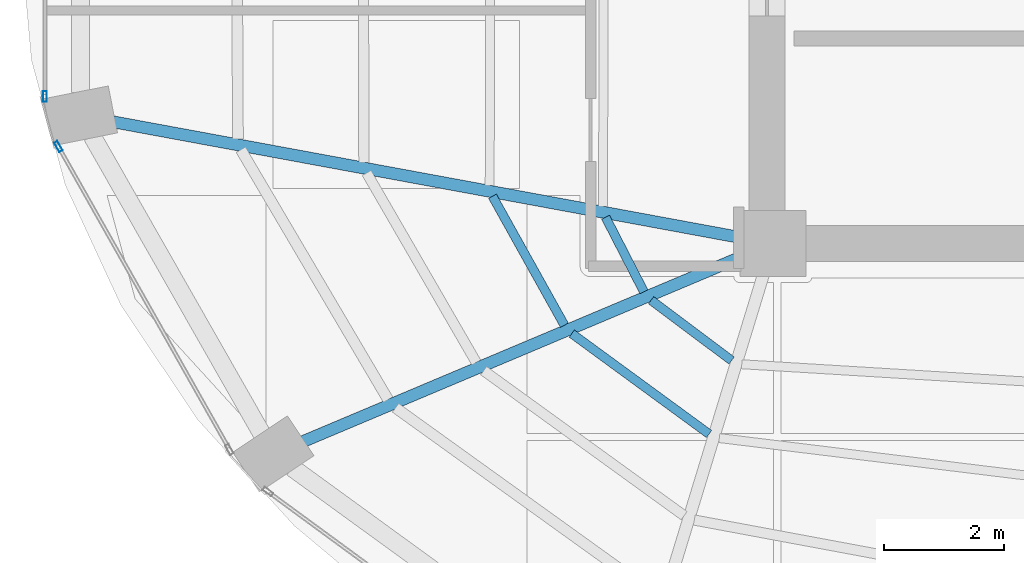
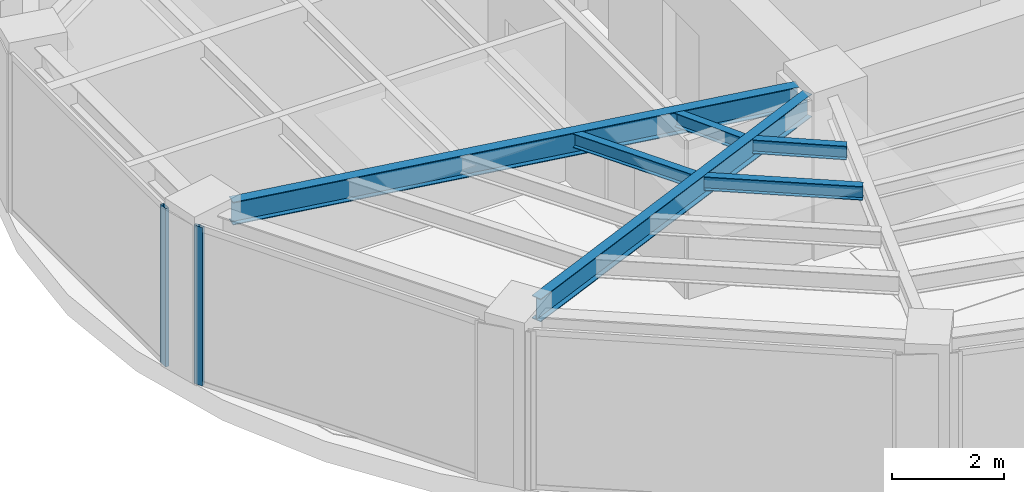
# One storey, part 4 of 23: 6 beams, 2 members, 2 elements without a shape of their own.
"""IFC4 building model written with IfcOpenShell, lengths in metres."""

from ifc_helpers import new_model, si_unit, direction, frame, origin, origin_2d, place, context, subcontext, project, spatial, hollow_rectangle, i_section, extrude, material, layer, layer_set, material_profile, profile_set, type_object, element, aggregate, save


model = new_model("IFC4")

# Units and contexts
model_context = context("Model", 3, precision=1e-05, world=origin(), true_north=direction((0.0, 1.0)))
body_context = subcontext(model_context, "Body", "Model", "MODEL_VIEW")
ifc_project = project(units=[si_unit("LENGTHUNIT", "METRE"), si_unit("AREAUNIT", "SQUARE_METRE"), si_unit("VOLUMEUNIT", "CUBIC_METRE"), si_unit("PLANEANGLEUNIT", "RADIAN"), si_unit("MASSUNIT", "GRAM", prefix="KILO")], contexts=[model_context])

# Site, building, storey
site_placement = place(None, origin())
site = spatial("IfcSite", under=ifc_project, at=site_placement, CompositionType="ELEMENT")
building_placement = place(site_placement, origin())
building = spatial("IfcBuilding", under=site, at=building_placement, Name="Lazwardi Medical Tower", CompositionType="ELEMENT")
storey_placement = place(building_placement, frame((0.0, 0.0, 194.83203125)))
storey = spatial("IfcBuildingStorey", under=building, at=storey_placement, Name="L50", CompositionType="ELEMENT", Elevation=194.83203125)

# Beams
ifc_material_1 = material(Name="Steel S355", Category="steel")
ifc_material_profile_1 = material_profile(ifc_material_1, i_section(OverallWidth=0.199951171875, OverallDepth=0.5, WebThickness=0.01025390625, FlangeThickness=0.01611328125, at=origin_2d()), Name="IPE 500")
ifc_profile_set_1 = profile_set([ifc_material_profile_1], Name="Steel S355")
beam_type_1 = type_object("IfcBeamType", Name="BM-RG-W3", PredefinedType="BEAM", material=ifc_profile_set_1)
beam_1_placement = place(storey_placement, frame((15.341064453125, 22.43994140625, 3.197998046875), z_axis=(0.983409341459, -0.181400295288, 0.0), x_axis=(0.181400295288, 0.983409341459, 0.0)))
element("IfcBeam", 1, at=beam_1_placement, inside=storey, type_object=beam_type_1, Name="Radial girder RG-04 R13 L50", PredefinedType="BEAM", context=body_context, shape_type="SweptSolid", body=[
    extrude(i_section(OverallWidth=0.199951171875, OverallDepth=0.5, WebThickness=0.01025390625, FlangeThickness=0.01611328125, at=origin_2d()), origin(), (0.0, 0.0, 1.0), 10.71044921875),
])
beam_2_placement = place(storey_placement, frame((18.533203125, 17.085205078125, 3.197998046875), z_axis=(0.921526791352, 0.388314785735, 0.0), x_axis=(-0.388314785735, 0.921526791352, 0.0)))
element("IfcBeam", 2, at=beam_2_placement, inside=storey, type_object=beam_type_1, Name="Radial girder RG-04 R14 L50", PredefinedType="BEAM", context=body_context, shape_type="SweptSolid", body=[
    extrude(i_section(OverallWidth=0.199951171875, OverallDepth=0.5, WebThickness=0.01025390625, FlangeThickness=0.01611328125, at=origin_2d()), origin(), (0.0, 0.0, 1.0), 8.001708984375),
])
ifc_material_profile_2 = material_profile(ifc_material_1, i_section(OverallWidth=0.14990234375, OverallDepth=0.300048828125, WebThickness=0.007080078125, FlangeThickness=0.0107421875, at=origin_2d()), Name="IPE 300")
ifc_profile_set_2 = profile_set([ifc_material_profile_2], Name="Steel S355")
beam_type_2 = type_object("IfcBeamType", Name="BM-SJ-03", PredefinedType="JOIST", material=ifc_profile_set_2)
beam_3_placement = place(storey_placement, frame((21.70703125, 21.19140625, 3.2978515625), z_axis=(0.487092942089, -0.873350139272, 0.0), x_axis=(0.873350139272, 0.487092942089, 0.0)))
element("IfcBeam", 3, at=beam_3_placement, inside=storey, type_object=beam_type_2, Name="Secondary joist SJ-03 R3 B13 L50", PredefinedType="JOIST", context=body_context, shape_type="SweptSolid", body=[
    extrude(i_section(OverallWidth=0.14990234375, OverallDepth=0.300048828125, WebThickness=0.007080078125, FlangeThickness=0.0107421875, at=origin_2d()), origin(), (0.0, 0.0, 1.0), 2.471923828125),
])
beam_4_placement = place(storey_placement, frame((23.0341796875, 18.893310546875, 3.2978515625), z_axis=(0.80703431267, -0.59050454543, 0.0), x_axis=(0.59050454543, 0.80703431267, 0.0)))
element("IfcBeam", 4, at=beam_4_placement, inside=storey, type_object=beam_type_2, Name="Secondary joist SJ-03 R3 B14 L50", PredefinedType="JOIST", context=body_context, shape_type="SweptSolid", body=[
    extrude(i_section(OverallWidth=0.14990234375, OverallDepth=0.300048828125, WebThickness=0.007080078125, FlangeThickness=0.0107421875, at=origin_2d()), origin(), (0.0, 0.0, 1.0), 2.846923828125),
])
beam_5_placement = place(storey_placement, frame((23.60009765625, 20.840087890625, 3.2978515625), z_axis=(0.457285056668, -0.889320176848, 0.0), x_axis=(0.889320176848, 0.457285056668, 0.0)))
element("IfcBeam", 5, at=beam_5_placement, inside=storey, type_object=beam_type_2, Name="Secondary joist SJ-03 R4 B13 L50", PredefinedType="JOIST", context=body_context, shape_type="SweptSolid", body=[
    extrude(i_section(OverallWidth=0.14990234375, OverallDepth=0.300048828125, WebThickness=0.007080078125, FlangeThickness=0.0107421875, at=origin_2d()), origin(), (0.0, 0.0, 1.0), 1.402099609375),
])
beam_6_placement = place(storey_placement, frame((24.36083984375, 19.451904296875, 3.2978515625), z_axis=(0.800365301971, -0.599512621553, 0.0), x_axis=(0.599512621553, 0.800365301971, 0.0)))
element("IfcBeam", 6, at=beam_6_placement, inside=storey, type_object=beam_type_2, Name="Secondary joist SJ-03 R4 B14 L50", PredefinedType="JOIST", context=body_context, shape_type="SweptSolid", body=[
    extrude(i_section(OverallWidth=0.14990234375, OverallDepth=0.300048828125, WebThickness=0.007080078125, FlangeThickness=0.0107421875, at=origin_2d()), origin(), (0.0, 0.0, 1.0), 1.68359375),
])

# Curtain wall, member
ifc_material_2 = material(Name="Anodised bronze aluminium and solar control glazing", Category="aluminium")
ifc_layer = layer(ifc_material_2, 0.18994140625)
ifc_layer_set = layer_set([ifc_layer], Name="Anodised bronze aluminium and solar control glazing")
curtain_wall_type = type_object("IfcCurtainWallType", Name="CW-SYS-04", PredefinedType="NOTDEFINED", material=ifc_layer_set)
curtain_wall_1_placement = place(storey_placement, origin())
curtain_wall_1 = element("IfcCurtainWall", 7, at=curtain_wall_1_placement, inside=storey, type_object=curtain_wall_type, Name="L50 Unitised bronze curtain wall CW-04", PredefinedType="NOTDEFINED")
ifc_material_3 = material(Name="Anodised bronze aluminium", Category="aluminium")
ifc_material_profile_3 = material_profile(ifc_material_3, hollow_rectangle(XDim=0.06494140625, YDim=0.179931640625, WallThickness=0.00390625, at=origin_2d()), Name="ALU-MULLION 180x65x4")
ifc_profile_set_3 = profile_set([ifc_material_profile_3], Name="Anodised bronze aluminium")
member_type = type_object("IfcMemberType", Name="CW-MUL-03", PredefinedType="MULLION", material=ifc_profile_set_3)
member_1_placement = place(storey_placement, frame((14.2158203125, 22.859619140625, 0.0), z_axis=(0.0, 0.0, 1.0), x_axis=(1.0, 0.0, 0.0)))
member_1 = element("IfcMember", 8, at=member_1_placement, type_object=member_type, Name="CW-04 mullion 2", PredefinedType="MULLION", context=body_context, shape_type="SweptSolid", body=[
    extrude(hollow_rectangle(XDim=0.06494140625, YDim=0.179931640625, WallThickness=0.00390625, at=origin_2d()), origin(), (0.0, 0.0, 1.0), 3.447998046875),
])
aggregate(curtain_wall_1, [member_1])

curtain_wall_2_placement = place(storey_placement, origin())
curtain_wall_2 = element("IfcCurtainWall", 9, at=curtain_wall_2_placement, inside=storey, type_object=curtain_wall_type, Name="L50 Unitised bronze curtain wall CW-04", PredefinedType="NOTDEFINED")
member_2_placement = place(storey_placement, frame((14.442626953125, 22.021728515625, 0.0), z_axis=(0.0, 0.0, 1.0), x_axis=(0.870651436011, 0.491900474661, 0.0)))
member_2 = element("IfcMember", 10, at=member_2_placement, type_object=member_type, Name="CW-04 mullion 1", PredefinedType="MULLION", context=body_context, shape_type="SweptSolid", body=[
    extrude(hollow_rectangle(XDim=0.06494140625, YDim=0.179931640625, WallThickness=0.00390625, at=origin_2d()), origin(), (0.0, 0.0, 1.0), 3.447998046875),
])
aggregate(curtain_wall_2, [member_2])

save(model, "model.ifc")
